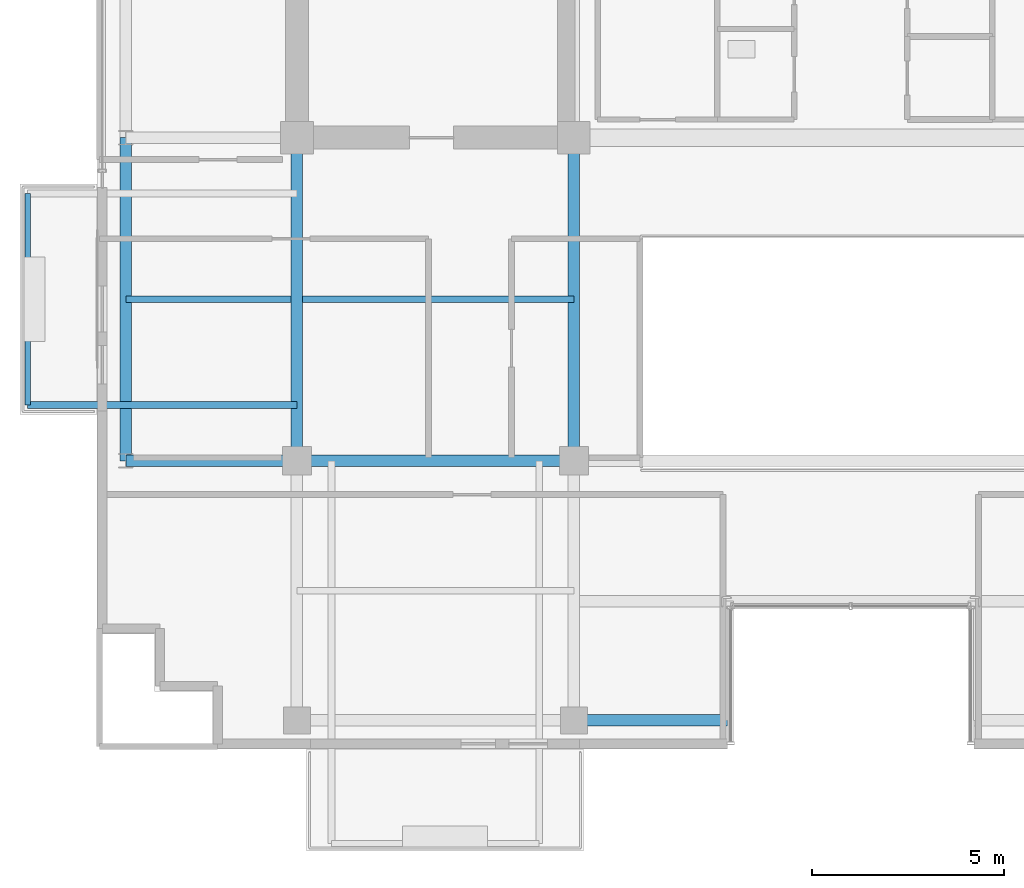
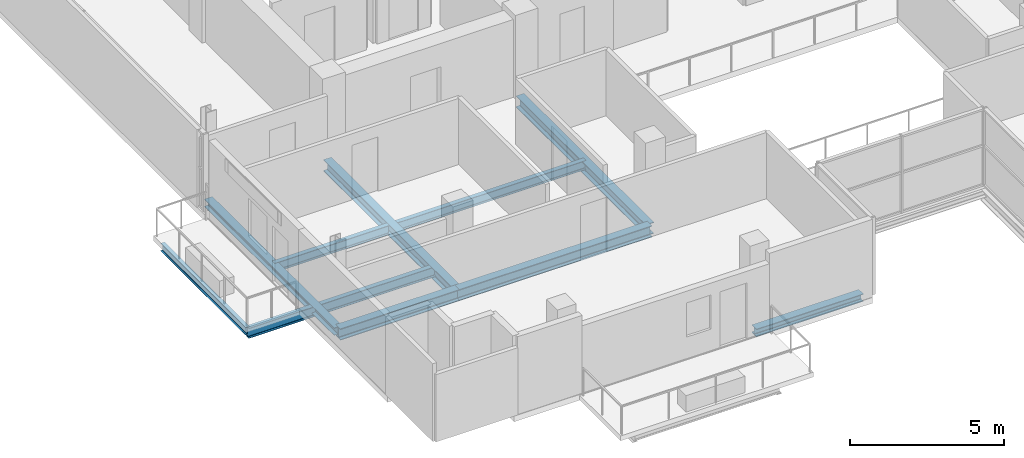
# One storey, part 2 of 21: 10 beams.
"""IFC4 building model written with IfcOpenShell, lengths in metres."""

import ifcopenshell
import ifcopenshell.guid

model = None  # the IFC model being written
_history = None  # IfcOwnerHistory: only IFC2X3 demands one
_inside = {}  # id of a spatial element -> (the spatial element, [elements in it])
_under = {}  # id of a project, library or spatial element -> (it, [spatial elements below it])
_declared = {}  # id of a project -> (the project, [libraries it declares])
_typed = {}  # id of a type object -> (the type object, [elements of that type])
_made_of = {}  # id of a material, layer set ... -> (it, [elements and type objects made of it])


def new_model(schema):
    """Start an empty IFC model of exactly this schema.

    Asked for "IFC4X3", IfcOpenShell would pick the latest addendum, in which some entities
    have other attributes; the version numbers below select the first issue.
    IFC2X3 requires an IfcOwnerHistory on every rooted entity: one is made here for all.
    """
    global model, _history
    if schema == "IFC4X3":
        model = ifcopenshell.file(schema_version=(4, 3, 0, 0))
    else:
        model = ifcopenshell.file(schema=schema)
    _inside.clear()
    _under.clear()
    _declared.clear()
    _typed.clear()
    _made_of.clear()
    _history = None
    if model.schema == "IFC2X3":
        org = make("IfcOrganization", Name="unknown")
        user = make(
            "IfcPersonAndOrganization",
            ThePerson=make("IfcPerson", FamilyName="unknown"),
            TheOrganization=org,
        )
        app = make(
            "IfcApplication",
            ApplicationDeveloper=org,
            Version="unknown",
            ApplicationFullName="unknown",
            ApplicationIdentifier="unknown",
        )
        _history = make(
            "IfcOwnerHistory",
            OwningUser=user,
            OwningApplication=app,
            ChangeAction="ADDED",
            CreationDate=0,
        )
    return model


def make(cls, **values):
    """One entity of the class cls with the attributes given. An attribute that is None is left unset."""
    return model.create_entity(
        cls, **{name: value for name, value in values.items() if value is not None}
    )


def rooted(cls, **values):
    """An entity with a GlobalId (a new one), such as an element, a storey or a relation."""
    return make(cls, GlobalId=ifcopenshell.guid.new(), OwnerHistory=_history, **values)


def si_unit(unit_type, name, prefix=None):
    """IfcSIUnit, for example si_unit("LENGTHUNIT", "METRE", prefix="MILLI")."""
    return make("IfcSIUnit", UnitType=unit_type, Prefix=prefix, Name=name)


def assignment(units):
    """IfcUnitAssignment: the units of a project."""
    return None if units is None else make("IfcUnitAssignment", Units=units)


def point(xyz):
    """IfcCartesianPoint."""
    return None if xyz is None else make("IfcCartesianPoint", Coordinates=xyz)


def direction(xyz):
    """IfcDirection."""
    return None if xyz is None else make("IfcDirection", DirectionRatios=xyz)


def frame(location, z_axis=None, x_axis=None):
    """IfcAxis2Placement3D, a coordinate frame: its origin and axes. An axis left out is left unset."""
    return make(
        "IfcAxis2Placement3D",
        Location=point(location),
        Axis=direction(z_axis),
        RefDirection=direction(x_axis),
    )


def frame_2d(location, x_axis=None):
    """IfcAxis2Placement2D, a coordinate frame in the plane: its origin and x axis."""
    return make(
        "IfcAxis2Placement2D", Location=point(location), RefDirection=direction(x_axis)
    )


def origin():
    """The frame at (0, 0, 0) with its axes left unset."""
    return frame((0.0, 0.0, 0.0))


def origin_2d():
    """The frame at (0, 0) in the plane with its x axis left unset."""
    return frame_2d((0.0, 0.0))


def place(relative_to, where):
    """IfcLocalPlacement: puts the frame where relative to a parent placement (None: the world)."""
    return make(
        "IfcLocalPlacement", PlacementRelTo=relative_to, RelativePlacement=where
    )


def context(
    kind, dimensions, precision=None, world=None, true_north=None, identifier=None
):
    """IfcGeometricRepresentationContext, for example the 3D "Model" context."""
    return make(
        "IfcGeometricRepresentationContext",
        ContextIdentifier=identifier,
        ContextType=kind,
        CoordinateSpaceDimension=dimensions,
        Precision=precision,
        WorldCoordinateSystem=world,
        TrueNorth=true_north,
    )


def subcontext(parent, identifier, kind, view, scale=None):
    """IfcGeometricRepresentationSubContext, for example "Body" below "Model"."""
    return make(
        "IfcGeometricRepresentationSubContext",
        ContextIdentifier=identifier,
        ContextType=kind,
        ParentContext=parent,
        TargetScale=scale,
        TargetView=view,
    )


def project(units=None, contexts=None):
    """IfcProject with its units and contexts."""
    return rooted(
        "IfcProject",
        Name="project",
        RepresentationContexts=contexts,
        UnitsInContext=assignment(units),
    )


def spatial(cls, under=None, at=None, **own):
    """A site, building, storey or space (cls), placed at a placement, below another one or the project."""
    s = rooted(cls, ObjectPlacement=at, **own)
    if under is not None:
        _under.setdefault(under.id(), (under, []))[1].append(s)
    return s


def profile(cls, at=None, kind="AREA", **sizes):
    """A parametric profile (cls). Its sizes go by their IFC names, for example OverallWidth=200.0."""
    return make(cls, ProfileType=kind, Position=at, **sizes)


def i_section(**sizes):
    """IfcIShapeProfileDef."""
    return profile("IfcIShapeProfileDef", **sizes)


def extrude(swept, where, along, depth):
    """IfcExtrudedAreaSolid: the profile swept, set in the frame where, extruded along a direction by depth."""
    return make(
        "IfcExtrudedAreaSolid",
        SweptArea=swept,
        Position=where,
        ExtrudedDirection=direction(along),
        Depth=depth,
    )


def shape(context_of_items, identifier, shape_type, items):
    """IfcShapeRepresentation: the items that make up one representation, for example the "Body"."""
    return make(
        "IfcShapeRepresentation",
        ContextOfItems=context_of_items,
        RepresentationIdentifier=identifier,
        RepresentationType=shape_type,
        Items=items,
    )


def material(Name=None, Category=None):
    """IfcMaterial."""
    return make("IfcMaterial", Name=Name, Category=Category)


def material_profile(
    of_material, cross_section, Name=None, Category=None, Priority=None
):
    """IfcMaterialProfile: a cross section and its material."""
    return make(
        "IfcMaterialProfile",
        Name=Name,
        Material=of_material,
        Profile=cross_section,
        Priority=Priority,
        Category=Category,
    )


def profile_set(profiles, Name=None, composite=None):
    """IfcMaterialProfileSet."""
    return make(
        "IfcMaterialProfileSet",
        Name=Name,
        MaterialProfiles=profiles,
        CompositeProfile=composite,
    )


def made_of(thing, what):
    """Note that an element or type object is made of a material, layer set ...; save() writes the relation."""
    if what is not None:
        _made_of.setdefault(what.id(), (what, []))[1].append(thing)
    return thing


def type_object(cls, material=None, **own):
    """A type object (cls), such as IfcWallType, which elements share."""
    return made_of(rooted(cls, **own), material)


def element(
    cls,
    number,
    at=None,
    inside=None,
    cuts=None,
    type_object=None,
    material=None,
    context=None,
    identifier="Body",
    shape_type=None,
    held_by="IfcProductDefinitionShape",
    body=None,
    shapes=None,
    **own,
):
    """One element of the class cls, such as IfcWall. Its Tag is "e" and its number.

    at: its placement. inside: the storey or other place that contains it. cuts: it is an
    opening in that element (IfcRelVoidsElement). A single representation is given by context,
    identifier, shape_type and body (its items); several are given by shapes. held_by: the class
    of the entity that holds the representations. save() writes the other relations.
    """
    e = rooted(cls, Tag="e%d" % number, ObjectPlacement=at, **own)
    if body is not None:
        shapes = [shape(context, identifier, shape_type, body)]
    if shapes is not None:
        e.Representation = make(held_by, Representations=shapes)
    if inside is not None:
        _inside.setdefault(inside.id(), (inside, []))[1].append(e)
    if cuts is not None:
        rooted(
            "IfcRelVoidsElement", RelatingBuildingElement=cuts, RelatedOpeningElement=e
        )
    if type_object is not None:
        _typed.setdefault(type_object.id(), (type_object, []))[1].append(e)
    return made_of(e, material)


def aggregate(whole, parts):
    """IfcRelAggregates: a whole, such as a stair, and the parts it consists of."""
    return rooted("IfcRelAggregates", RelatingObject=whole, RelatedObjects=parts)


def save(model, path):
    """Write the relations noted so far, then the file.

    IfcRelAggregates (storeys below a building ...), IfcRelContainedInSpatialStructure (elements
    in a storey), IfcRelDefinesByType, IfcRelAssociatesMaterial and IfcRelDeclares: one each for
    every whole, place, type object, material and project.
    """
    for whole, parts in _under.values():
        aggregate(whole, parts)
    for where, things in _inside.values():
        rooted(
            "IfcRelContainedInSpatialStructure",
            RelatedElements=things,
            RelatingStructure=where,
        )
    for kind, things in _typed.values():
        rooted("IfcRelDefinesByType", RelatedObjects=things, RelatingType=kind)
    for what, things in _made_of.values():
        rooted("IfcRelAssociatesMaterial", RelatedObjects=things, RelatingMaterial=what)
    for by, libraries in _declared.values():
        rooted("IfcRelDeclares", RelatingContext=by, RelatedDefinitions=libraries)
    model.write(path)


model = new_model("IFC4")

# Units and contexts
model_context = context("Model", 3, precision=1e-05, world=origin(), true_north=direction((0.0, 1.0)))
body_context = subcontext(model_context, "Body", "Model", "MODEL_VIEW")
ifc_project = project(units=[si_unit("LENGTHUNIT", "METRE"), si_unit("AREAUNIT", "SQUARE_METRE"), si_unit("VOLUMEUNIT", "CUBIC_METRE"), si_unit("PLANEANGLEUNIT", "RADIAN"), si_unit("MASSUNIT", "GRAM", prefix="KILO")], contexts=[model_context])

# Site, building, storey
site_placement = place(None, origin())
site = spatial("IfcSite", under=ifc_project, at=site_placement, CompositionType="ELEMENT")
building_placement = place(site_placement, origin())
building = spatial("IfcBuilding", under=site, at=building_placement, Name="Zarnakvel Exchange Tower", CompositionType="ELEMENT")
storey_placement = place(building_placement, frame((0.0, 0.0, 248.5)))
storey = spatial("IfcBuildingStorey", under=building, at=storey_placement, Name="L70", CompositionType="ELEMENT", Elevation=248.5)

# Beams
ifc_material = material(Name="Steel S355", Category="steel")
ifc_material_profile_1 = material_profile(ifc_material, i_section(OverallWidth=0.179931640625, OverallDepth=0.39990234375, WebThickness=0.008544921875, FlangeThickness=0.013427734375, FilletRadius=0.02099609375, at=origin_2d()))
ifc_profile_set_1 = profile_set([ifc_material_profile_1], Name="Steel S355")
beam_type_1 = type_object("IfcBeamType", Name="B-06", PredefinedType="JOIST", material=ifc_profile_set_1)
beam_1_placement = place(storey_placement, frame((-14.39990234375, -8.14990234375, -0.425048828125), z_axis=(-1.0, 0.0, 0.0), x_axis=(0.0, -1.0, 0.0)))
element("IfcBeam", 1, at=beam_1_placement, inside=storey, type_object=beam_type_1, Name="L70 Continuous West Loggia Beam S", PredefinedType="JOIST", context=body_context, shape_type="SweptSolid", body=[
    extrude(i_section(OverallWidth=0.179931640625, OverallDepth=0.39990234375, WebThickness=0.008544921875, FlangeThickness=0.013427734375, FilletRadius=0.02099609375, at=origin_2d()), origin(), (0.0, 0.0, 1.0), 7.0),
])
ifc_material_profile_2 = material_profile(ifc_material, i_section(OverallWidth=0.169921875, OverallDepth=0.360107421875, WebThickness=0.008056640625, FlangeThickness=0.0126953125, FilletRadius=0.01806640625, at=origin_2d()))
ifc_profile_set_2 = profile_set([ifc_material_profile_2], Name="Steel S355")
beam_type_2 = type_object("IfcBeamType", Name="B-07", PredefinedType="JOIST", material=ifc_profile_set_2)
beam_2_placement = place(storey_placement, frame((-18.85009765625, -5.39990234375, -0.405029296875), z_axis=(1.0, 0.0, 0.0), x_axis=(0.0, 1.0, 0.0)))
element("IfcBeam", 2, at=beam_2_placement, inside=storey, type_object=beam_type_2, Name="L70 Composite Floor Secondary Joist", PredefinedType="JOIST", context=body_context, shape_type="SweptSolid", body=[
    extrude(i_section(OverallWidth=0.169921875, OverallDepth=0.360107421875, WebThickness=0.008056640625, FlangeThickness=0.0126953125, FilletRadius=0.01806640625, at=origin_2d()), origin(), (0.0, 0.0, 1.0), 4.300048828125),
])
beam_3_placement = place(storey_placement, frame((-14.25, -5.39990234375, -0.405029296875), z_axis=(1.0, 0.0, 0.0), x_axis=(0.0, 1.0, 0.0)))
element("IfcBeam", 3, at=beam_3_placement, inside=storey, type_object=beam_type_2, Name="L70 Composite Floor Secondary Joist", PredefinedType="JOIST", context=body_context, shape_type="SweptSolid", body=[
    extrude(i_section(OverallWidth=0.169921875, OverallDepth=0.360107421875, WebThickness=0.008056640625, FlangeThickness=0.0126953125, FilletRadius=0.01806640625, at=origin_2d()), origin(), (0.0, 0.0, 1.0), 7.050048828125),
])
ifc_material_profile_3 = material_profile(ifc_material, i_section(OverallWidth=0.14990234375, OverallDepth=0.300048828125, WebThickness=0.007080078125, FlangeThickness=0.0107421875, FilletRadius=0.014892578125, at=origin_2d()))
ifc_profile_set_3 = profile_set([ifc_material_profile_3], Name="Steel S355")
beam_type_3 = type_object("IfcBeamType", Name="B-08", PredefinedType="JOIST", material=ifc_profile_set_3)
beam_4_placement = place(storey_placement, frame((-21.39990234375, -8.14990234375, -0.375), z_axis=(0.0, 1.0, 0.0), x_axis=(-1.0, 0.0, 0.0)))
element("IfcBeam", 4, at=beam_4_placement, inside=storey, type_object=beam_type_3, Name="L70 West Loggia Edge Beam", PredefinedType="JOIST", context=body_context, shape_type="SweptSolid", body=[
    extrude(i_section(OverallWidth=0.14990234375, OverallDepth=0.300048828125, WebThickness=0.007080078125, FlangeThickness=0.0107421875, FilletRadius=0.014892578125, at=origin_2d()), origin(), (0.0, 0.0, 1.0), 5.5),
])
ifc_material_profile_4 = material_profile(ifc_material, i_section(OverallWidth=0.300048828125, OverallDepth=0.449951171875, WebThickness=0.013916015625, FlangeThickness=0.02587890625, FilletRadius=0.027099609375, at=origin_2d()))
ifc_profile_set_4 = profile_set([ifc_material_profile_4], Name="Steel S355")
beam_type_4 = type_object("IfcBeamType", Name="G-07", PredefinedType="BEAM", material=ifc_profile_set_4)
beam_5_placement = place(storey_placement, frame((-18.85009765625, -9.60009765625, -0.449951171875), z_axis=(1.0, 0.0, 0.0), x_axis=(0.0, 1.0, 0.0)))
element("IfcBeam", 5, at=beam_5_placement, inside=storey, type_object=beam_type_4, Name="L70 Tower E-W Frame Beam", PredefinedType="BEAM", context=body_context, shape_type="SweptSolid", body=[
    extrude(i_section(OverallWidth=0.300048828125, OverallDepth=0.449951171875, WebThickness=0.013916015625, FlangeThickness=0.02587890625, FilletRadius=0.027099609375, at=origin_2d()), origin(), (0.0, 0.0, 1.0), 4.4501953125),
])
beam_6_placement = place(storey_placement, frame((-14.39990234375, -9.60009765625, -0.449951171875), z_axis=(1.0, 0.0, 0.0), x_axis=(0.0, 1.0, 0.0)))
element("IfcBeam", 6, at=beam_6_placement, inside=storey, type_object=beam_type_4, Name="L70 Tower E-W Frame Beam", PredefinedType="BEAM", context=body_context, shape_type="SweptSolid", body=[
    extrude(i_section(OverallWidth=0.300048828125, OverallDepth=0.449951171875, WebThickness=0.013916015625, FlangeThickness=0.02587890625, FilletRadius=0.027099609375, at=origin_2d()), origin(), (0.0, 0.0, 1.0), 7.199951171875),
])
for number, where, z_axis, x_axis, name in (
    (7, (-14.39990234375, -9.60009765625, -0.449951171875), (0.0, 1.0, 0.0), (-1.0, 0.0, 0.0), "L70 Tower N-S Frame Beam"),
    (8, (-7.199951171875, -9.60009765625, -0.449951171875), (0.0, 1.0, 0.0), (-1.0, 0.0, 0.0), "L70 Tower N-S Frame Beam"),
):
    element("IfcBeam", number, at=place(storey_placement, frame(where, z_axis=z_axis, x_axis=x_axis)), inside=storey, type_object=beam_type_4, Name=name, PredefinedType="BEAM", context=body_context, shape_type="SweptSolid", body=[
        extrude(i_section(OverallWidth=0.300048828125, OverallDepth=0.449951171875, WebThickness=0.013916015625, FlangeThickness=0.02587890625, FilletRadius=0.027099609375, at=origin_2d()), origin(), (0.0, 0.0, 1.0), 8.400146484375),
    ])
ifc_material_profile_5 = material_profile(ifc_material, i_section(OverallWidth=0.300048828125, OverallDepth=0.300048828125, WebThickness=0.010986328125, FlangeThickness=0.01904296875, FilletRadius=0.027099609375, at=origin_2d()))
ifc_profile_set_5 = profile_set([ifc_material_profile_5], Name="Steel S355")
beam_type_5 = type_object("IfcBeamType", Name="SP-03", PredefinedType="SPANDREL", material=ifc_profile_set_5)
beam_7_placement = place(storey_placement, frame((-7.199951171875, -16.35009765625, -0.375), z_axis=(1.0, 0.0, 0.0), x_axis=(0.0, 1.0, 0.0)))
element("IfcBeam", 9, at=beam_7_placement, inside=storey, type_object=beam_type_5, Name="L70 South Slot West Jamb Spandrel", PredefinedType="SPANDREL", context=body_context, shape_type="SweptSolid", body=[
    extrude(i_section(OverallWidth=0.300048828125, OverallDepth=0.300048828125, WebThickness=0.010986328125, FlangeThickness=0.01904296875, FilletRadius=0.027099609375, at=origin_2d()), origin(), (0.0, 0.0, 1.0), 4.0),
])
beam_8_placement = place(storey_placement, frame((-18.85009765625, -9.60009765625, -0.375), z_axis=(0.0, 1.0, 0.0), x_axis=(-1.0, 0.0, 0.0)))
element("IfcBeam", 10, at=beam_8_placement, inside=storey, type_object=beam_type_5, Name="L70 Tower N-S Frame Beam", PredefinedType="SPANDREL", context=body_context, shape_type="SweptSolid", body=[
    extrude(i_section(OverallWidth=0.300048828125, OverallDepth=0.300048828125, WebThickness=0.010986328125, FlangeThickness=0.01904296875, FilletRadius=0.027099609375, at=origin_2d()), origin(), (0.0, 0.0, 1.0), 8.400146484375),
])

save(model, "model.ifc")
